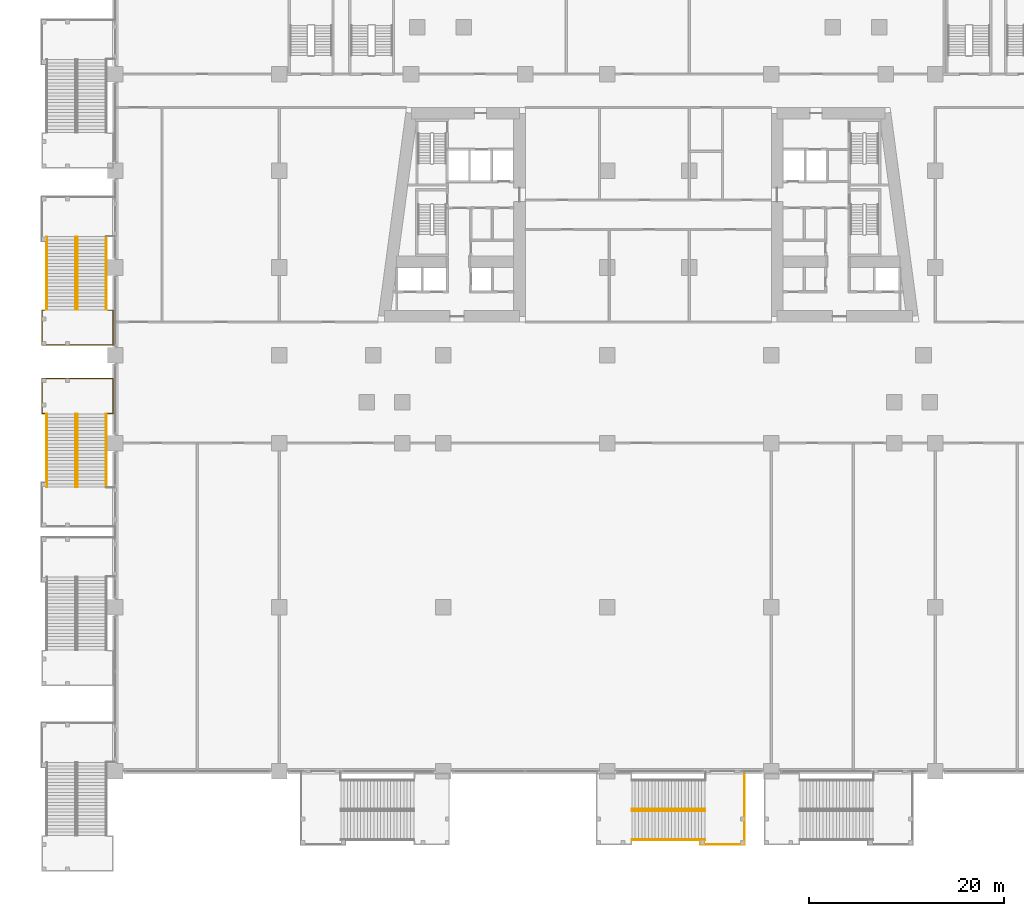
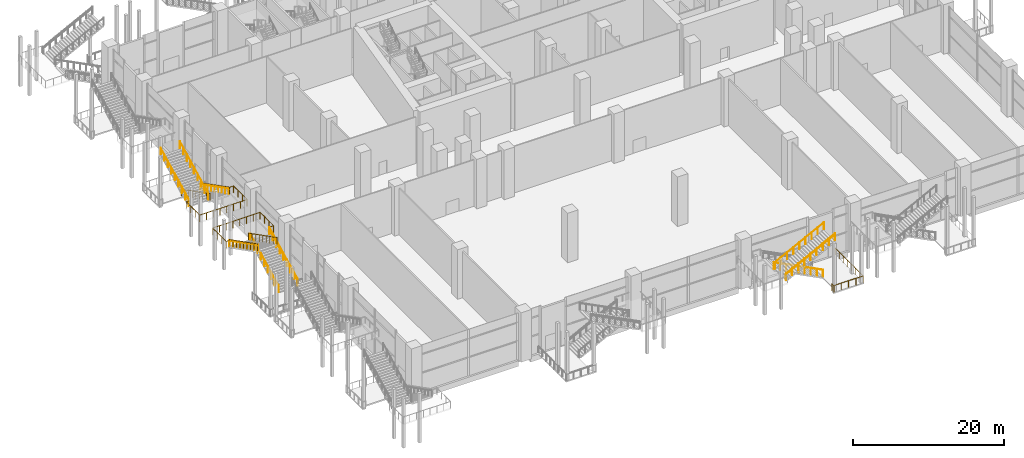
# One storey, part 40 of 52: 19 railings.
"""IFC4 building model written with IfcOpenShell, lengths in metres."""

from ifc_helpers import new_model, si_unit, direction, frame, origin, origin_2d, place, context, subcontext, project, spatial, circle, extrude, material, type_object, element, save


model = new_model("IFC4")

# Units and contexts
model_context = context("Model", 3, precision=1e-05, world=origin(), true_north=direction((0.0, 1.0)))
body_context = subcontext(model_context, "Body", "Model", "MODEL_VIEW")
ifc_project = project(units=[si_unit("LENGTHUNIT", "METRE"), si_unit("AREAUNIT", "SQUARE_METRE"), si_unit("VOLUMEUNIT", "CUBIC_METRE"), si_unit("PLANEANGLEUNIT", "RADIAN"), si_unit("MASSUNIT", "GRAM", prefix="KILO")], contexts=[model_context])

# Site, building, storey
site_placement = place(None, origin())
site = spatial("IfcSite", under=ifc_project, at=site_placement, CompositionType="ELEMENT")
building_placement = place(site_placement, origin())
building = spatial("IfcBuilding", under=site, at=building_placement, Name="Candeia Pilgrim Tower and Theatre", CompositionType="ELEMENT")
storey_placement = place(building_placement, frame((0.0, 0.0, 9.0)))
storey = spatial("IfcBuildingStorey", under=building, at=storey_placement, Name="L01", CompositionType="ELEMENT", Elevation=9.0)

# Railings
ifc_material_1 = material(Name="Stainless steel balustrade", Category="steel")
railing_type_1 = type_object("IfcRailingType", Name="RL-GUARD-1100", PredefinedType="GUARDRAIL", material=ifc_material_1)
railing_1_placement = place(storey_placement, frame((119.199951171875, 60.550048828125, 0.173828125)))
element("IfcRailing", 1, at=railing_1_placement, inside=storey, type_object=railing_type_1, Name="L01 ES9 stair guard 1", PredefinedType="GUARDRAIL", context=body_context, shape_type="SweptSolid", body=[
    extrude(circle(Radius=0.02392578125, at=origin_2d()), frame((0.0, 0.0, 1.076171875), z_axis=(-0.890286522184, 0.0, 0.455400821714), x_axis=(0.0, -1.0, 0.0)), (0.0, 0.0, 1.0), 8.40185546875),
    extrude(circle(Radius=0.02099609375, at=origin_2d()), origin(), (0.0, 0.0, 1.0), 1.052001953125),
    extrude(circle(Radius=0.02099609375, at=origin_2d()), frame((-0.93505859375, 0.0, 0.478271484375)), (0.0, 0.0, 1.0), 1.052001953125),
    extrude(circle(Radius=0.02099609375, at=origin_2d()), frame((-1.8701171875, 0.0, 0.95654296875)), (0.0, 0.0, 1.0), 1.052001953125),
    extrude(circle(Radius=0.02099609375, at=origin_2d()), frame((-2.804931640625, 0.0, 1.434814453125)), (0.0, 0.0, 1.0), 1.052001953125),
    extrude(circle(Radius=0.02099609375, at=origin_2d()), frame((-3.739990234375, 0.0, 1.9130859375)), (0.0, 0.0, 1.0), 1.052001953125),
    extrude(circle(Radius=0.02099609375, at=origin_2d()), frame((-4.675048828125, 0.0, 2.391357421875)), (0.0, 0.0, 1.0), 1.052001953125),
    extrude(circle(Radius=0.02099609375, at=origin_2d()), frame((-5.60986328125, 0.0, 2.86962890625)), (0.0, 0.0, 1.0), 1.052001953125),
    extrude(circle(Radius=0.02099609375, at=origin_2d()), frame((-6.544921875, 0.0, 3.347900390625)), (0.0, 0.0, 1.0), 1.052001953125),
    extrude(circle(Radius=0.02099609375, at=origin_2d()), frame((-7.47998046875, 0.0, 3.826171875)), (0.0, 0.0, 1.0), 1.052001953125),
])
for number, where, name in (
    (2, (111.719970703125, 60.300048828125, 4.173828125), "L01 ES9 stair guard 2"),
    (3, (111.719970703125, 57.35009765625, 4.173828125), "L01 ES9 stair guard 4"),
):
    element("IfcRailing", number, at=place(storey_placement, frame(where)), inside=storey, type_object=railing_type_1, Name=name, PredefinedType="GUARDRAIL", context=body_context, shape_type="SweptSolid", body=[
        extrude(circle(Radius=0.02392578125, at=origin_2d()), frame((0.0, 0.0, 1.076171875), z_axis=(0.890286522184, 0.0, 0.455400821714), x_axis=(0.0, 1.0, 0.0)), (0.0, 0.0, 1.0), 8.40185546875),
        extrude(circle(Radius=0.02099609375, at=origin_2d()), origin(), (0.0, 0.0, 1.0), 1.052001953125),
        extrude(circle(Radius=0.02099609375, at=origin_2d()), frame((0.93505859375, 0.0, 0.478271484375)), (0.0, 0.0, 1.0), 1.052001953125),
        extrude(circle(Radius=0.02099609375, at=origin_2d()), frame((1.8701171875, 0.0, 0.95654296875)), (0.0, 0.0, 1.0), 1.052001953125),
        extrude(circle(Radius=0.02099609375, at=origin_2d()), frame((2.804931640625, 0.0, 1.434814453125)), (0.0, 0.0, 1.0), 1.052001953125),
        extrude(circle(Radius=0.02099609375, at=origin_2d()), frame((3.739990234375, 0.0, 1.9130859375)), (0.0, 0.0, 1.0), 1.052001953125),
        extrude(circle(Radius=0.02099609375, at=origin_2d()), frame((4.675048828125, 0.0, 2.391357421875)), (0.0, 0.0, 1.0), 1.052001953125),
        extrude(circle(Radius=0.02099609375, at=origin_2d()), frame((5.60986328125, 0.0, 2.86962890625)), (0.0, 0.0, 1.0), 1.052001953125),
        extrude(circle(Radius=0.02099609375, at=origin_2d()), frame((6.544921875, 0.0, 3.347900390625)), (0.0, 0.0, 1.0), 1.052001953125),
        extrude(circle(Radius=0.02099609375, at=origin_2d()), frame((7.47998046875, 0.0, 3.826171875)), (0.0, 0.0, 1.0), 1.052001953125),
    ])
railing_2_placement = place(storey_placement, frame((123.25, 64.300048828125, 0.0)))
element("IfcRailing", 4, at=railing_2_placement, inside=storey, type_object=railing_type_1, Name="L01 External escape stair ES9 landing guard", PredefinedType="GUARDRAIL", context=body_context, shape_type="SweptSolid", body=[
    extrude(circle(Radius=0.02392578125, at=origin_2d()), frame((0.0, 0.0, 1.076171875), z_axis=(0.0, -1.0, 0.0), x_axis=(1.0, 0.0, 0.0)), (0.0, 0.0, 1.0), 7.400146484375),
    extrude(circle(Radius=0.02392578125, at=origin_2d()), frame((0.0, -7.400146484375, 1.076171875), z_axis=(-1.0, 0.0, 0.0), x_axis=(0.0, -1.0, 0.0)), (0.0, 0.0, 1.0), 4.5),
    extrude(circle(Radius=0.02392578125, at=origin_2d()), frame((-4.5, -7.400146484375, 1.076171875), z_axis=(0.0, 1.0, 0.0), x_axis=(-1.0, 0.0, 0.0)), (0.0, 0.0, 1.0), 0.4501953125),
    extrude(circle(Radius=0.02099609375, at=origin_2d()), origin(), (0.0, 0.0, 1.0), 1.052001953125),
    extrude(circle(Radius=0.02099609375, at=origin_2d()), frame((0.0, -1.05712890625, 0.0)), (0.0, 0.0, 1.0), 1.052001953125),
    extrude(circle(Radius=0.02099609375, at=origin_2d()), frame((0.0, -2.1142578125, 0.0)), (0.0, 0.0, 1.0), 1.052001953125),
    extrude(circle(Radius=0.02099609375, at=origin_2d()), frame((0.0, -3.17138671875, 0.0)), (0.0, 0.0, 1.0), 1.052001953125),
    extrude(circle(Radius=0.02099609375, at=origin_2d()), frame((0.0, -4.228759765625, 0.0)), (0.0, 0.0, 1.0), 1.052001953125),
    extrude(circle(Radius=0.02099609375, at=origin_2d()), frame((0.0, -5.285888671875, 0.0)), (0.0, 0.0, 1.0), 1.052001953125),
    extrude(circle(Radius=0.02099609375, at=origin_2d()), frame((0.0, -6.343017578125, 0.0)), (0.0, 0.0, 1.0), 1.052001953125),
    extrude(circle(Radius=0.02099609375, at=origin_2d()), frame((0.0, -7.400146484375, 0.0)), (0.0, 0.0, 1.0), 1.052001953125),
    extrude(circle(Radius=0.02099609375, at=origin_2d()), frame((-1.125, -7.400146484375, 0.0)), (0.0, 0.0, 1.0), 1.052001953125),
    extrude(circle(Radius=0.02099609375, at=origin_2d()), frame((-2.25, -7.400146484375, 0.0)), (0.0, 0.0, 1.0), 1.052001953125),
    extrude(circle(Radius=0.02099609375, at=origin_2d()), frame((-3.375, -7.400146484375, 0.0)), (0.0, 0.0, 1.0), 1.052001953125),
    extrude(circle(Radius=0.02099609375, at=origin_2d()), frame((-4.5, -7.400146484375, 0.0)), (0.0, 0.0, 1.0), 1.052001953125),
    extrude(circle(Radius=0.02099609375, at=origin_2d()), frame((-4.5, -6.949951171875, 0.0)), (0.0, 0.0, 1.0), 1.052001953125),
])
railing_3_placement = place(storey_placement, frame((54.949951171875, 93.5, 0.173828125)))
element("IfcRailing", 5, at=railing_3_placement, inside=storey, type_object=railing_type_1, Name="L01 ES12 stair guard 1", PredefinedType="GUARDRAIL", context=body_context, shape_type="SweptSolid", body=[
    extrude(circle(Radius=0.02392578125, at=origin_2d()), frame((0.0, 0.0, 1.076171875), z_axis=(0.0, 0.890286522184, 0.455400821714), x_axis=(-1.0, 0.0, 0.0)), (0.0, 0.0, 1.0), 8.40185546875),
    extrude(circle(Radius=0.02099609375, at=origin_2d()), origin(), (0.0, 0.0, 1.0), 1.052001953125),
    extrude(circle(Radius=0.02099609375, at=origin_2d()), frame((0.0, 0.93505859375, 0.478271484375)), (0.0, 0.0, 1.0), 1.052001953125),
    extrude(circle(Radius=0.02099609375, at=origin_2d()), frame((0.0, 1.8701171875, 0.95654296875)), (0.0, 0.0, 1.0), 1.052001953125),
    extrude(circle(Radius=0.02099609375, at=origin_2d()), frame((0.0, 2.804931640625, 1.434814453125)), (0.0, 0.0, 1.0), 1.052001953125),
    extrude(circle(Radius=0.02099609375, at=origin_2d()), frame((0.0, 3.739990234375, 1.9130859375)), (0.0, 0.0, 1.0), 1.052001953125),
    extrude(circle(Radius=0.02099609375, at=origin_2d()), frame((0.0, 4.675048828125, 2.391357421875)), (0.0, 0.0, 1.0), 1.052001953125),
    extrude(circle(Radius=0.02099609375, at=origin_2d()), frame((0.0, 5.60986328125, 2.86962890625)), (0.0, 0.0, 1.0), 1.052001953125),
    extrude(circle(Radius=0.02099609375, at=origin_2d()), frame((0.0, 6.544921875, 3.347900390625)), (0.0, 0.0, 1.0), 1.052001953125),
    extrude(circle(Radius=0.02099609375, at=origin_2d()), frame((0.0, 7.47998046875, 3.826171875)), (0.0, 0.0, 1.0), 1.052001953125),
])
railing_4_placement = place(storey_placement, frame((54.699951171875, 100.97998046875, 4.173828125)))
element("IfcRailing", 6, at=railing_4_placement, inside=storey, type_object=railing_type_1, Name="L01 ES12 stair guard 2", PredefinedType="GUARDRAIL", context=body_context, shape_type="SweptSolid", body=[
    extrude(circle(Radius=0.02392578125, at=origin_2d()), frame((0.0, 0.0, 1.076171875), z_axis=(0.0, -0.890286522184, 0.455400821714), x_axis=(1.0, 0.0, 0.0)), (0.0, 0.0, 1.0), 8.40185546875),
    extrude(circle(Radius=0.02099609375, at=origin_2d()), origin(), (0.0, 0.0, 1.0), 1.052001953125),
    extrude(circle(Radius=0.02099609375, at=origin_2d()), frame((0.0, -0.93505859375, 0.478271484375)), (0.0, 0.0, 1.0), 1.052001953125),
    extrude(circle(Radius=0.02099609375, at=origin_2d()), frame((0.0, -1.8701171875, 0.95654296875)), (0.0, 0.0, 1.0), 1.052001953125),
    extrude(circle(Radius=0.02099609375, at=origin_2d()), frame((0.0, -2.804931640625, 1.434814453125)), (0.0, 0.0, 1.0), 1.052001953125),
    extrude(circle(Radius=0.02099609375, at=origin_2d()), frame((0.0, -3.739990234375, 1.9130859375)), (0.0, 0.0, 1.0), 1.052001953125),
    extrude(circle(Radius=0.02099609375, at=origin_2d()), frame((0.0, -4.675048828125, 2.391357421875)), (0.0, 0.0, 1.0), 1.052001953125),
    extrude(circle(Radius=0.02099609375, at=origin_2d()), frame((0.0, -5.60986328125, 2.86962890625)), (0.0, 0.0, 1.0), 1.052001953125),
    extrude(circle(Radius=0.02099609375, at=origin_2d()), frame((0.0, -6.544921875, 3.347900390625)), (0.0, 0.0, 1.0), 1.052001953125),
    extrude(circle(Radius=0.02099609375, at=origin_2d()), frame((0.0, -7.47998046875, 3.826171875)), (0.0, 0.0, 1.0), 1.052001953125),
])
railing_5_placement = place(storey_placement, frame((57.89990234375, 93.5, 0.173828125)))
element("IfcRailing", 7, at=railing_5_placement, inside=storey, type_object=railing_type_1, Name="L01 ES12 stair guard 3", PredefinedType="GUARDRAIL", context=body_context, shape_type="SweptSolid", body=[
    extrude(circle(Radius=0.02392578125, at=origin_2d()), frame((0.0, 0.0, 1.076171875), z_axis=(0.0, 0.890286522184, 0.455400821714), x_axis=(-1.0, 0.0, 0.0)), (0.0, 0.0, 1.0), 8.40185546875),
    extrude(circle(Radius=0.02099609375, at=origin_2d()), origin(), (0.0, 0.0, 1.0), 1.052001953125),
    extrude(circle(Radius=0.02099609375, at=origin_2d()), frame((0.0, 0.93505859375, 0.478271484375)), (0.0, 0.0, 1.0), 1.052001953125),
    extrude(circle(Radius=0.02099609375, at=origin_2d()), frame((0.0, 1.8701171875, 0.95654296875)), (0.0, 0.0, 1.0), 1.052001953125),
    extrude(circle(Radius=0.02099609375, at=origin_2d()), frame((0.0, 2.804931640625, 1.434814453125)), (0.0, 0.0, 1.0), 1.052001953125),
    extrude(circle(Radius=0.02099609375, at=origin_2d()), frame((0.0, 3.739990234375, 1.9130859375)), (0.0, 0.0, 1.0), 1.052001953125),
    extrude(circle(Radius=0.02099609375, at=origin_2d()), frame((0.0, 4.675048828125, 2.391357421875)), (0.0, 0.0, 1.0), 1.052001953125),
    extrude(circle(Radius=0.02099609375, at=origin_2d()), frame((0.0, 5.60986328125, 2.86962890625)), (0.0, 0.0, 1.0), 1.052001953125),
    extrude(circle(Radius=0.02099609375, at=origin_2d()), frame((0.0, 6.544921875, 3.347900390625)), (0.0, 0.0, 1.0), 1.052001953125),
    extrude(circle(Radius=0.02099609375, at=origin_2d()), frame((0.0, 7.47998046875, 3.826171875)), (0.0, 0.0, 1.0), 1.052001953125),
])
railing_6_placement = place(storey_placement, frame((51.75, 100.97998046875, 4.173828125)))
element("IfcRailing", 8, at=railing_6_placement, inside=storey, type_object=railing_type_1, Name="L01 ES12 stair guard 4", PredefinedType="GUARDRAIL", context=body_context, shape_type="SweptSolid", body=[
    extrude(circle(Radius=0.02392578125, at=origin_2d()), frame((0.0, 0.0, 1.076171875), z_axis=(0.0, -0.890286522184, 0.455400821714), x_axis=(1.0, 0.0, 0.0)), (0.0, 0.0, 1.0), 8.40185546875),
    extrude(circle(Radius=0.02099609375, at=origin_2d()), origin(), (0.0, 0.0, 1.0), 1.052001953125),
    extrude(circle(Radius=0.02099609375, at=origin_2d()), frame((0.0, -0.93505859375, 0.478271484375)), (0.0, 0.0, 1.0), 1.052001953125),
    extrude(circle(Radius=0.02099609375, at=origin_2d()), frame((0.0, -1.8701171875, 0.95654296875)), (0.0, 0.0, 1.0), 1.052001953125),
    extrude(circle(Radius=0.02099609375, at=origin_2d()), frame((0.0, -2.804931640625, 1.434814453125)), (0.0, 0.0, 1.0), 1.052001953125),
    extrude(circle(Radius=0.02099609375, at=origin_2d()), frame((0.0, -3.739990234375, 1.9130859375)), (0.0, 0.0, 1.0), 1.052001953125),
    extrude(circle(Radius=0.02099609375, at=origin_2d()), frame((0.0, -4.675048828125, 2.391357421875)), (0.0, 0.0, 1.0), 1.052001953125),
    extrude(circle(Radius=0.02099609375, at=origin_2d()), frame((0.0, -5.60986328125, 2.86962890625)), (0.0, 0.0, 1.0), 1.052001953125),
    extrude(circle(Radius=0.02099609375, at=origin_2d()), frame((0.0, -6.544921875, 3.347900390625)), (0.0, 0.0, 1.0), 1.052001953125),
    extrude(circle(Radius=0.02099609375, at=origin_2d()), frame((0.0, -7.47998046875, 3.826171875)), (0.0, 0.0, 1.0), 1.052001953125),
])
railing_7_placement = place(storey_placement, frame((57.89990234375, 101.030029296875, 4.0)))
element("IfcRailing", 9, at=railing_7_placement, inside=storey, type_object=railing_type_1, Name="L01 ES12 stair guard 5", PredefinedType="GUARDRAIL", context=body_context, shape_type="SweptSolid", body=[
    extrude(circle(Radius=0.02392578125, at=origin_2d()), frame((0.0, 0.0, 1.076171875), z_axis=(1.0, 0.0, 0.0), x_axis=(0.0, 1.0, 0.0)), (0.0, 0.0, 1.0), 0.650146484375),
    extrude(circle(Radius=0.02392578125, at=origin_2d()), frame((0.650146484375, 0.0, 1.076171875), z_axis=(0.0, 1.0, 0.0), x_axis=(-1.0, 0.0, 0.0)), (0.0, 0.0, 1.0), 3.580078125),
    extrude(circle(Radius=0.02392578125, at=origin_2d()), frame((0.650146484375, 3.580078125, 1.076171875), z_axis=(-1.0, 0.0, 0.0), x_axis=(0.0, -1.0, 0.0)), (0.0, 0.0, 1.0), 7.25),
    extrude(circle(Radius=0.02392578125, at=origin_2d()), frame((-6.599853515625, 3.580078125, 1.076171875), z_axis=(0.0, -1.0, 0.0), x_axis=(1.0, 0.0, 0.0)), (0.0, 0.0, 1.0), 3.580078125),
    extrude(circle(Radius=0.02392578125, at=origin_2d()), frame((-6.599853515625, 0.0, 1.076171875), z_axis=(1.0, 0.0, 0.0), x_axis=(0.0, 1.0, 0.0)), (0.0, 0.0, 1.0), 0.449951171875),
    extrude(circle(Radius=0.02099609375, at=origin_2d()), origin(), (0.0, 0.0, 1.0), 1.052001953125),
    extrude(circle(Radius=0.02099609375, at=origin_2d()), frame((0.650146484375, 0.0, 0.0)), (0.0, 0.0, 1.0), 1.052001953125),
    extrude(circle(Radius=0.02099609375, at=origin_2d()), frame((0.650146484375, 1.193359375, 0.0)), (0.0, 0.0, 1.0), 1.052001953125),
    extrude(circle(Radius=0.02099609375, at=origin_2d()), frame((0.650146484375, 2.38671875, 0.0)), (0.0, 0.0, 1.0), 1.052001953125),
    extrude(circle(Radius=0.02099609375, at=origin_2d()), frame((0.650146484375, 3.580078125, 0.0)), (0.0, 0.0, 1.0), 1.052001953125),
    extrude(circle(Radius=0.02099609375, at=origin_2d()), frame((-0.385498046875, 3.580078125, 0.0)), (0.0, 0.0, 1.0), 1.052001953125),
    extrude(circle(Radius=0.02099609375, at=origin_2d()), frame((-1.42138671875, 3.580078125, 0.0)), (0.0, 0.0, 1.0), 1.052001953125),
    extrude(circle(Radius=0.02099609375, at=origin_2d()), frame((-2.45703125, 3.580078125, 0.0)), (0.0, 0.0, 1.0), 1.052001953125),
    extrude(circle(Radius=0.02099609375, at=origin_2d()), frame((-3.49267578125, 3.580078125, 0.0)), (0.0, 0.0, 1.0), 1.052001953125),
    extrude(circle(Radius=0.02099609375, at=origin_2d()), frame((-4.5283203125, 3.580078125, 0.0)), (0.0, 0.0, 1.0), 1.052001953125),
    extrude(circle(Radius=0.02099609375, at=origin_2d()), frame((-5.564208984375, 3.580078125, 0.0)), (0.0, 0.0, 1.0), 1.052001953125),
    extrude(circle(Radius=0.02099609375, at=origin_2d()), frame((-6.599853515625, 3.580078125, 0.0)), (0.0, 0.0, 1.0), 1.052001953125),
    extrude(circle(Radius=0.02099609375, at=origin_2d()), frame((-6.599853515625, 2.38671875, 0.0)), (0.0, 0.0, 1.0), 1.052001953125),
    extrude(circle(Radius=0.02099609375, at=origin_2d()), frame((-6.599853515625, 1.193359375, 0.0)), (0.0, 0.0, 1.0), 1.052001953125),
    extrude(circle(Radius=0.02099609375, at=origin_2d()), frame((-6.599853515625, 0.0, 0.0)), (0.0, 0.0, 1.0), 1.052001953125),
    extrude(circle(Radius=0.02099609375, at=origin_2d()), frame((-6.14990234375, 0.0, 0.0)), (0.0, 0.0, 1.0), 1.052001953125),
])
railing_8_placement = place(storey_placement, frame((54.949951171875, 119.14990234375, 0.173828125)))
element("IfcRailing", 10, at=railing_8_placement, inside=storey, type_object=railing_type_1, Name="L01 ES15 stair guard 1", PredefinedType="GUARDRAIL", context=body_context, shape_type="SweptSolid", body=[
    extrude(circle(Radius=0.02392578125, at=origin_2d()), frame((0.0, 0.0, 1.076171875), z_axis=(0.0, -0.890286522184, 0.455400821714), x_axis=(1.0, 0.0, 0.0)), (0.0, 0.0, 1.0), 8.40185546875),
    extrude(circle(Radius=0.02099609375, at=origin_2d()), origin(), (0.0, 0.0, 1.0), 1.052001953125),
    extrude(circle(Radius=0.02099609375, at=origin_2d()), frame((0.0, -0.93505859375, 0.478271484375)), (0.0, 0.0, 1.0), 1.052001953125),
    extrude(circle(Radius=0.02099609375, at=origin_2d()), frame((0.0, -1.8701171875, 0.95654296875)), (0.0, 0.0, 1.0), 1.052001953125),
    extrude(circle(Radius=0.02099609375, at=origin_2d()), frame((0.0, -2.804931640625, 1.434814453125)), (0.0, 0.0, 1.0), 1.052001953125),
    extrude(circle(Radius=0.02099609375, at=origin_2d()), frame((0.0, -3.739990234375, 1.9130859375)), (0.0, 0.0, 1.0), 1.052001953125),
    extrude(circle(Radius=0.02099609375, at=origin_2d()), frame((0.0, -4.675048828125, 2.391357421875)), (0.0, 0.0, 1.0), 1.052001953125),
    extrude(circle(Radius=0.02099609375, at=origin_2d()), frame((0.0, -5.60986328125, 2.86962890625)), (0.0, 0.0, 1.0), 1.052001953125),
    extrude(circle(Radius=0.02099609375, at=origin_2d()), frame((0.0, -6.544921875, 3.347900390625)), (0.0, 0.0, 1.0), 1.052001953125),
    extrude(circle(Radius=0.02099609375, at=origin_2d()), frame((0.0, -7.47998046875, 3.826171875)), (0.0, 0.0, 1.0), 1.052001953125),
])
railing_9_placement = place(storey_placement, frame((54.699951171875, 111.669921875, 4.173828125)))
element("IfcRailing", 11, at=railing_9_placement, inside=storey, type_object=railing_type_1, Name="L01 ES15 stair guard 2", PredefinedType="GUARDRAIL", context=body_context, shape_type="SweptSolid", body=[
    extrude(circle(Radius=0.02392578125, at=origin_2d()), frame((0.0, 0.0, 1.076171875), z_axis=(0.0, 0.890286522184, 0.455400821714), x_axis=(-1.0, 0.0, 0.0)), (0.0, 0.0, 1.0), 8.40185546875),
    extrude(circle(Radius=0.02099609375, at=origin_2d()), origin(), (0.0, 0.0, 1.0), 1.052001953125),
    extrude(circle(Radius=0.02099609375, at=origin_2d()), frame((0.0, 0.93505859375, 0.478271484375)), (0.0, 0.0, 1.0), 1.052001953125),
    extrude(circle(Radius=0.02099609375, at=origin_2d()), frame((0.0, 1.8701171875, 0.95654296875)), (0.0, 0.0, 1.0), 1.052001953125),
    extrude(circle(Radius=0.02099609375, at=origin_2d()), frame((0.0, 2.804931640625, 1.434814453125)), (0.0, 0.0, 1.0), 1.052001953125),
    extrude(circle(Radius=0.02099609375, at=origin_2d()), frame((0.0, 3.739990234375, 1.9130859375)), (0.0, 0.0, 1.0), 1.052001953125),
    extrude(circle(Radius=0.02099609375, at=origin_2d()), frame((0.0, 4.675048828125, 2.391357421875)), (0.0, 0.0, 1.0), 1.052001953125),
    extrude(circle(Radius=0.02099609375, at=origin_2d()), frame((0.0, 5.60986328125, 2.86962890625)), (0.0, 0.0, 1.0), 1.052001953125),
    extrude(circle(Radius=0.02099609375, at=origin_2d()), frame((0.0, 6.544921875, 3.347900390625)), (0.0, 0.0, 1.0), 1.052001953125),
    extrude(circle(Radius=0.02099609375, at=origin_2d()), frame((0.0, 7.47998046875, 3.826171875)), (0.0, 0.0, 1.0), 1.052001953125),
])
railing_10_placement = place(storey_placement, frame((57.89990234375, 119.14990234375, 0.173828125)))
element("IfcRailing", 12, at=railing_10_placement, inside=storey, type_object=railing_type_1, Name="L01 ES15 stair guard 3", PredefinedType="GUARDRAIL", context=body_context, shape_type="SweptSolid", body=[
    extrude(circle(Radius=0.02392578125, at=origin_2d()), frame((0.0, 0.0, 1.076171875), z_axis=(0.0, -0.890286522184, 0.455400821714), x_axis=(1.0, 0.0, 0.0)), (0.0, 0.0, 1.0), 8.40185546875),
    extrude(circle(Radius=0.02099609375, at=origin_2d()), origin(), (0.0, 0.0, 1.0), 1.052001953125),
    extrude(circle(Radius=0.02099609375, at=origin_2d()), frame((0.0, -0.93505859375, 0.478271484375)), (0.0, 0.0, 1.0), 1.052001953125),
    extrude(circle(Radius=0.02099609375, at=origin_2d()), frame((0.0, -1.8701171875, 0.95654296875)), (0.0, 0.0, 1.0), 1.052001953125),
    extrude(circle(Radius=0.02099609375, at=origin_2d()), frame((0.0, -2.804931640625, 1.434814453125)), (0.0, 0.0, 1.0), 1.052001953125),
    extrude(circle(Radius=0.02099609375, at=origin_2d()), frame((0.0, -3.739990234375, 1.9130859375)), (0.0, 0.0, 1.0), 1.052001953125),
    extrude(circle(Radius=0.02099609375, at=origin_2d()), frame((0.0, -4.675048828125, 2.391357421875)), (0.0, 0.0, 1.0), 1.052001953125),
    extrude(circle(Radius=0.02099609375, at=origin_2d()), frame((0.0, -5.60986328125, 2.86962890625)), (0.0, 0.0, 1.0), 1.052001953125),
    extrude(circle(Radius=0.02099609375, at=origin_2d()), frame((0.0, -6.544921875, 3.347900390625)), (0.0, 0.0, 1.0), 1.052001953125),
    extrude(circle(Radius=0.02099609375, at=origin_2d()), frame((0.0, -7.47998046875, 3.826171875)), (0.0, 0.0, 1.0), 1.052001953125),
])
railing_11_placement = place(storey_placement, frame((51.75, 111.669921875, 4.173828125)))
element("IfcRailing", 13, at=railing_11_placement, inside=storey, type_object=railing_type_1, Name="L01 ES15 stair guard 4", PredefinedType="GUARDRAIL", context=body_context, shape_type="SweptSolid", body=[
    extrude(circle(Radius=0.02392578125, at=origin_2d()), frame((0.0, 0.0, 1.076171875), z_axis=(0.0, 0.890286522184, 0.455400821714), x_axis=(-1.0, 0.0, 0.0)), (0.0, 0.0, 1.0), 8.40185546875),
    extrude(circle(Radius=0.02099609375, at=origin_2d()), origin(), (0.0, 0.0, 1.0), 1.052001953125),
    extrude(circle(Radius=0.02099609375, at=origin_2d()), frame((0.0, 0.93505859375, 0.478271484375)), (0.0, 0.0, 1.0), 1.052001953125),
    extrude(circle(Radius=0.02099609375, at=origin_2d()), frame((0.0, 1.8701171875, 0.95654296875)), (0.0, 0.0, 1.0), 1.052001953125),
    extrude(circle(Radius=0.02099609375, at=origin_2d()), frame((0.0, 2.804931640625, 1.434814453125)), (0.0, 0.0, 1.0), 1.052001953125),
    extrude(circle(Radius=0.02099609375, at=origin_2d()), frame((0.0, 3.739990234375, 1.9130859375)), (0.0, 0.0, 1.0), 1.052001953125),
    extrude(circle(Radius=0.02099609375, at=origin_2d()), frame((0.0, 4.675048828125, 2.391357421875)), (0.0, 0.0, 1.0), 1.052001953125),
    extrude(circle(Radius=0.02099609375, at=origin_2d()), frame((0.0, 5.60986328125, 2.86962890625)), (0.0, 0.0, 1.0), 1.052001953125),
    extrude(circle(Radius=0.02099609375, at=origin_2d()), frame((0.0, 6.544921875, 3.347900390625)), (0.0, 0.0, 1.0), 1.052001953125),
    extrude(circle(Radius=0.02099609375, at=origin_2d()), frame((0.0, 7.47998046875, 3.826171875)), (0.0, 0.0, 1.0), 1.052001953125),
])
railing_12_placement = place(storey_placement, frame((57.89990234375, 111.6201171875, 4.0)))
element("IfcRailing", 14, at=railing_12_placement, inside=storey, type_object=railing_type_1, Name="L01 ES15 stair guard 5", PredefinedType="GUARDRAIL", context=body_context, shape_type="SweptSolid", body=[
    extrude(circle(Radius=0.02392578125, at=origin_2d()), frame((0.0, 0.0, 1.076171875), z_axis=(1.0, 0.0, 0.0), x_axis=(0.0, 1.0, 0.0)), (0.0, 0.0, 1.0), 0.650146484375),
    extrude(circle(Radius=0.02392578125, at=origin_2d()), frame((0.650146484375, 0.0, 1.076171875), z_axis=(0.0, -1.0, 0.0), x_axis=(1.0, 0.0, 0.0)), (0.0, 0.0, 1.0), 3.580078125),
    extrude(circle(Radius=0.02392578125, at=origin_2d()), frame((0.650146484375, -3.580078125, 1.076171875), z_axis=(-1.0, 0.0, 0.0), x_axis=(0.0, -1.0, 0.0)), (0.0, 0.0, 1.0), 7.25),
    extrude(circle(Radius=0.02392578125, at=origin_2d()), frame((-6.599853515625, -3.580078125, 1.076171875), z_axis=(0.0, 1.0, 0.0), x_axis=(-1.0, 0.0, 0.0)), (0.0, 0.0, 1.0), 3.580078125),
    extrude(circle(Radius=0.02392578125, at=origin_2d()), frame((-6.599853515625, 0.0, 1.076171875), z_axis=(1.0, 0.0, 0.0), x_axis=(0.0, 1.0, 0.0)), (0.0, 0.0, 1.0), 0.449951171875),
    extrude(circle(Radius=0.02099609375, at=origin_2d()), origin(), (0.0, 0.0, 1.0), 1.052001953125),
    extrude(circle(Radius=0.02099609375, at=origin_2d()), frame((0.650146484375, 0.0, 0.0)), (0.0, 0.0, 1.0), 1.052001953125),
    extrude(circle(Radius=0.02099609375, at=origin_2d()), frame((0.650146484375, -1.193359375, 0.0)), (0.0, 0.0, 1.0), 1.052001953125),
    extrude(circle(Radius=0.02099609375, at=origin_2d()), frame((0.650146484375, -2.38671875, 0.0)), (0.0, 0.0, 1.0), 1.052001953125),
    extrude(circle(Radius=0.02099609375, at=origin_2d()), frame((0.650146484375, -3.580078125, 0.0)), (0.0, 0.0, 1.0), 1.052001953125),
    extrude(circle(Radius=0.02099609375, at=origin_2d()), frame((-0.385498046875, -3.580078125, 0.0)), (0.0, 0.0, 1.0), 1.052001953125),
    extrude(circle(Radius=0.02099609375, at=origin_2d()), frame((-1.42138671875, -3.580078125, 0.0)), (0.0, 0.0, 1.0), 1.052001953125),
    extrude(circle(Radius=0.02099609375, at=origin_2d()), frame((-2.45703125, -3.580078125, 0.0)), (0.0, 0.0, 1.0), 1.052001953125),
    extrude(circle(Radius=0.02099609375, at=origin_2d()), frame((-3.49267578125, -3.580078125, 0.0)), (0.0, 0.0, 1.0), 1.052001953125),
    extrude(circle(Radius=0.02099609375, at=origin_2d()), frame((-4.5283203125, -3.580078125, 0.0)), (0.0, 0.0, 1.0), 1.052001953125),
    extrude(circle(Radius=0.02099609375, at=origin_2d()), frame((-5.564208984375, -3.580078125, 0.0)), (0.0, 0.0, 1.0), 1.052001953125),
    extrude(circle(Radius=0.02099609375, at=origin_2d()), frame((-6.599853515625, -3.580078125, 0.0)), (0.0, 0.0, 1.0), 1.052001953125),
    extrude(circle(Radius=0.02099609375, at=origin_2d()), frame((-6.599853515625, -2.38671875, 0.0)), (0.0, 0.0, 1.0), 1.052001953125),
    extrude(circle(Radius=0.02099609375, at=origin_2d()), frame((-6.599853515625, -1.193359375, 0.0)), (0.0, 0.0, 1.0), 1.052001953125),
    extrude(circle(Radius=0.02099609375, at=origin_2d()), frame((-6.599853515625, 0.0, 0.0)), (0.0, 0.0, 1.0), 1.052001953125),
    extrude(circle(Radius=0.02099609375, at=origin_2d()), frame((-6.14990234375, 0.0, 0.0)), (0.0, 0.0, 1.0), 1.052001953125),
])
ifc_material_2 = material(Name="Stainless steel handrail", Category="steel")
railing_type_2 = type_object("IfcRailingType", Name="RL-HANDRAIL-900", PredefinedType="HANDRAIL", material=ifc_material_2)
railing_13_placement = place(storey_placement, frame((111.719970703125, 57.39990234375, 4.173828125)))
element("IfcRailing", 15, at=railing_13_placement, inside=storey, type_object=railing_type_2, Name="L01 ES9 stair handrail 2", PredefinedType="HANDRAIL", context=body_context, shape_type="SweptSolid", body=[
    extrude(circle(Radius=0.02392578125, at=origin_2d()), frame((0.0, 0.0, 0.8759765625), z_axis=(0.890286522184, 0.0, 0.455400821714), x_axis=(0.0, 1.0, 0.0)), (0.0, 0.0, 1.0), 8.40185546875),
    extrude(circle(Radius=0.02099609375, at=origin_2d()), origin(), (0.0, 0.0, 1.0), 0.851806640625),
    extrude(circle(Radius=0.02099609375, at=origin_2d()), frame((0.93505859375, 0.0, 0.478271484375)), (0.0, 0.0, 1.0), 0.851806640625),
    extrude(circle(Radius=0.02099609375, at=origin_2d()), frame((1.8701171875, 0.0, 0.95654296875)), (0.0, 0.0, 1.0), 0.851806640625),
    extrude(circle(Radius=0.02099609375, at=origin_2d()), frame((2.804931640625, 0.0, 1.434814453125)), (0.0, 0.0, 1.0), 0.851806640625),
    extrude(circle(Radius=0.02099609375, at=origin_2d()), frame((3.739990234375, 0.0, 1.9130859375)), (0.0, 0.0, 1.0), 0.851806640625),
    extrude(circle(Radius=0.02099609375, at=origin_2d()), frame((4.675048828125, 0.0, 2.391357421875)), (0.0, 0.0, 1.0), 0.851806640625),
    extrude(circle(Radius=0.02099609375, at=origin_2d()), frame((5.60986328125, 0.0, 2.86962890625)), (0.0, 0.0, 1.0), 0.851806640625),
    extrude(circle(Radius=0.02099609375, at=origin_2d()), frame((6.544921875, 0.0, 3.347900390625)), (0.0, 0.0, 1.0), 0.851806640625),
    extrude(circle(Radius=0.02099609375, at=origin_2d()), frame((7.47998046875, 0.0, 3.826171875)), (0.0, 0.0, 1.0), 0.851806640625),
])
railing_14_placement = place(storey_placement, frame((57.85009765625, 93.5, 0.173828125)))
element("IfcRailing", 16, at=railing_14_placement, inside=storey, type_object=railing_type_2, Name="L01 ES12 stair handrail 1", PredefinedType="HANDRAIL", context=body_context, shape_type="SweptSolid", body=[
    extrude(circle(Radius=0.02392578125, at=origin_2d()), frame((0.0, 0.0, 0.8759765625), z_axis=(0.0, 0.890286522184, 0.455400821714), x_axis=(-1.0, 0.0, 0.0)), (0.0, 0.0, 1.0), 8.40185546875),
    extrude(circle(Radius=0.02099609375, at=origin_2d()), origin(), (0.0, 0.0, 1.0), 0.851806640625),
    extrude(circle(Radius=0.02099609375, at=origin_2d()), frame((0.0, 0.93505859375, 0.478271484375)), (0.0, 0.0, 1.0), 0.851806640625),
    extrude(circle(Radius=0.02099609375, at=origin_2d()), frame((0.0, 1.8701171875, 0.95654296875)), (0.0, 0.0, 1.0), 0.851806640625),
    extrude(circle(Radius=0.02099609375, at=origin_2d()), frame((0.0, 2.804931640625, 1.434814453125)), (0.0, 0.0, 1.0), 0.851806640625),
    extrude(circle(Radius=0.02099609375, at=origin_2d()), frame((0.0, 3.739990234375, 1.9130859375)), (0.0, 0.0, 1.0), 0.851806640625),
    extrude(circle(Radius=0.02099609375, at=origin_2d()), frame((0.0, 4.675048828125, 2.391357421875)), (0.0, 0.0, 1.0), 0.851806640625),
    extrude(circle(Radius=0.02099609375, at=origin_2d()), frame((0.0, 5.60986328125, 2.86962890625)), (0.0, 0.0, 1.0), 0.851806640625),
    extrude(circle(Radius=0.02099609375, at=origin_2d()), frame((0.0, 6.544921875, 3.347900390625)), (0.0, 0.0, 1.0), 0.851806640625),
    extrude(circle(Radius=0.02099609375, at=origin_2d()), frame((0.0, 7.47998046875, 3.826171875)), (0.0, 0.0, 1.0), 0.851806640625),
])
for number, where, name in (
    (17, (51.800048828125, 100.97998046875, 4.173828125), "L01 ES12 stair handrail 2"),
    (18, (57.85009765625, 119.14990234375, 0.173828125), "L01 ES15 stair handrail 1"),
):
    element("IfcRailing", number, at=place(storey_placement, frame(where)), inside=storey, type_object=railing_type_2, Name=name, PredefinedType="HANDRAIL", context=body_context, shape_type="SweptSolid", body=[
        extrude(circle(Radius=0.02392578125, at=origin_2d()), frame((0.0, 0.0, 0.8759765625), z_axis=(0.0, -0.890286522184, 0.455400821714), x_axis=(1.0, 0.0, 0.0)), (0.0, 0.0, 1.0), 8.40185546875),
        extrude(circle(Radius=0.02099609375, at=origin_2d()), origin(), (0.0, 0.0, 1.0), 0.851806640625),
        extrude(circle(Radius=0.02099609375, at=origin_2d()), frame((0.0, -0.93505859375, 0.478271484375)), (0.0, 0.0, 1.0), 0.851806640625),
        extrude(circle(Radius=0.02099609375, at=origin_2d()), frame((0.0, -1.8701171875, 0.95654296875)), (0.0, 0.0, 1.0), 0.851806640625),
        extrude(circle(Radius=0.02099609375, at=origin_2d()), frame((0.0, -2.804931640625, 1.434814453125)), (0.0, 0.0, 1.0), 0.851806640625),
        extrude(circle(Radius=0.02099609375, at=origin_2d()), frame((0.0, -3.739990234375, 1.9130859375)), (0.0, 0.0, 1.0), 0.851806640625),
        extrude(circle(Radius=0.02099609375, at=origin_2d()), frame((0.0, -4.675048828125, 2.391357421875)), (0.0, 0.0, 1.0), 0.851806640625),
        extrude(circle(Radius=0.02099609375, at=origin_2d()), frame((0.0, -5.60986328125, 2.86962890625)), (0.0, 0.0, 1.0), 0.851806640625),
        extrude(circle(Radius=0.02099609375, at=origin_2d()), frame((0.0, -6.544921875, 3.347900390625)), (0.0, 0.0, 1.0), 0.851806640625),
        extrude(circle(Radius=0.02099609375, at=origin_2d()), frame((0.0, -7.47998046875, 3.826171875)), (0.0, 0.0, 1.0), 0.851806640625),
    ])
railing_15_placement = place(storey_placement, frame((51.800048828125, 111.669921875, 4.173828125)))
element("IfcRailing", 19, at=railing_15_placement, inside=storey, type_object=railing_type_2, Name="L01 ES15 stair handrail 2", PredefinedType="HANDRAIL", context=body_context, shape_type="SweptSolid", body=[
    extrude(circle(Radius=0.02392578125, at=origin_2d()), frame((0.0, 0.0, 0.8759765625), z_axis=(0.0, 0.890286522184, 0.455400821714), x_axis=(-1.0, 0.0, 0.0)), (0.0, 0.0, 1.0), 8.40185546875),
    extrude(circle(Radius=0.02099609375, at=origin_2d()), origin(), (0.0, 0.0, 1.0), 0.851806640625),
    extrude(circle(Radius=0.02099609375, at=origin_2d()), frame((0.0, 0.93505859375, 0.478271484375)), (0.0, 0.0, 1.0), 0.851806640625),
    extrude(circle(Radius=0.02099609375, at=origin_2d()), frame((0.0, 1.8701171875, 0.95654296875)), (0.0, 0.0, 1.0), 0.851806640625),
    extrude(circle(Radius=0.02099609375, at=origin_2d()), frame((0.0, 2.804931640625, 1.434814453125)), (0.0, 0.0, 1.0), 0.851806640625),
    extrude(circle(Radius=0.02099609375, at=origin_2d()), frame((0.0, 3.739990234375, 1.9130859375)), (0.0, 0.0, 1.0), 0.851806640625),
    extrude(circle(Radius=0.02099609375, at=origin_2d()), frame((0.0, 4.675048828125, 2.391357421875)), (0.0, 0.0, 1.0), 0.851806640625),
    extrude(circle(Radius=0.02099609375, at=origin_2d()), frame((0.0, 5.60986328125, 2.86962890625)), (0.0, 0.0, 1.0), 0.851806640625),
    extrude(circle(Radius=0.02099609375, at=origin_2d()), frame((0.0, 6.544921875, 3.347900390625)), (0.0, 0.0, 1.0), 0.851806640625),
    extrude(circle(Radius=0.02099609375, at=origin_2d()), frame((0.0, 7.47998046875, 3.826171875)), (0.0, 0.0, 1.0), 0.851806640625),
])

save(model, "model.ifc")
